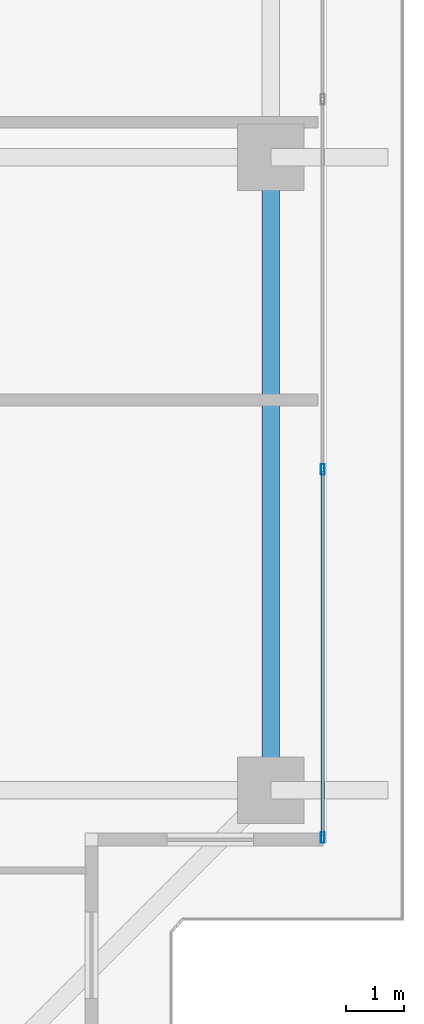
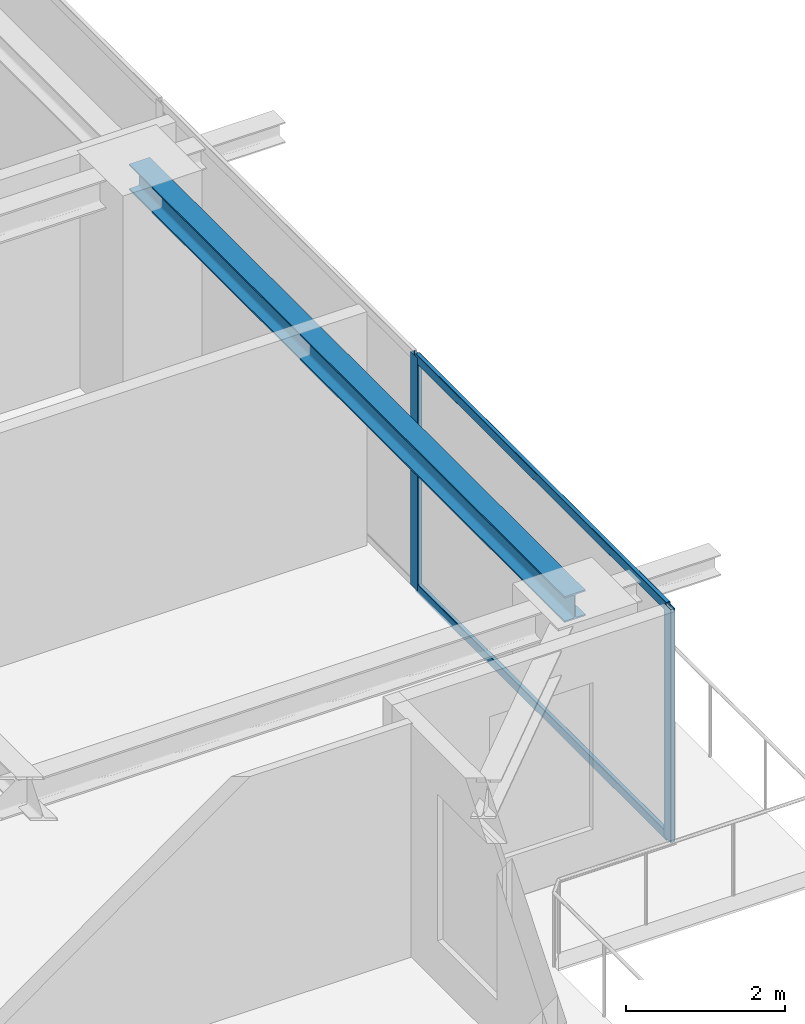
# One storey, part 14 of 40: 4 members, 1 beam, 1 element without a shape of its own.
"""IFC4 building model written with IfcOpenShell, lengths in metres."""

from ifc_helpers import new_model, si_unit, direction, frame, origin, origin_2d, place, context, subcontext, project, spatial, hollow_rectangle, i_section, extrude, source, transform, mapped, material, layer, layer_set, material_profile, profile_set, type_object, element, aggregate, save


model = new_model("IFC4")

# Units and contexts
model_context = context("Model", 3, precision=1e-05, world=origin(), true_north=direction((0.0, 1.0)))
body_context = subcontext(model_context, "Body", "Model", "MODEL_VIEW")
ifc_project = project(units=[si_unit("LENGTHUNIT", "METRE"), si_unit("AREAUNIT", "SQUARE_METRE"), si_unit("VOLUMEUNIT", "CUBIC_METRE"), si_unit("PLANEANGLEUNIT", "RADIAN"), si_unit("MASSUNIT", "GRAM", prefix="KILO")], contexts=[model_context])

# Site, building, storey
site_placement = place(None, origin())
site = spatial("IfcSite", under=ifc_project, at=site_placement, CompositionType="ELEMENT")
building_placement = place(site_placement, origin())
building = spatial("IfcBuilding", under=site, at=building_placement, Name="Serunith Strait Residences", CompositionType="ELEMENT")
storey_placement = place(building_placement, frame((0.0, 0.0, 252.800048828125)))
storey = spatial("IfcBuildingStorey", under=building, at=storey_placement, Name="L63", CompositionType="ELEMENT", Elevation=252.800048828125)

# Beam
ifc_material_1 = material(Name="Steel S355J2", Category="steel")
ifc_material_profile_1 = material_profile(ifc_material_1, i_section(OverallWidth=0.300048828125, OverallDepth=0.39990234375, WebThickness=0.013427734375, FlangeThickness=0.02392578125, FilletRadius=0.027099609375, at=origin_2d()), Name="HEB 400")
ifc_profile_set_1 = profile_set([ifc_material_profile_1], Name="Steel S355J2")
beam_type = type_object("IfcBeamType", Name="BM-HEB400", PredefinedType="BEAM", material=ifc_profile_set_1)
shared_shape_1 = source(origin(), body_context, "Body", "SweptSolid", [
    extrude(i_section(OverallWidth=0.300048828125, OverallDepth=0.39990234375, WebThickness=0.013427734375, FlangeThickness=0.02392578125, FilletRadius=0.027099609375, at=origin_2d()), origin(), (0.0, 0.0, 1.0), 10.949951171875),
])
beam_placement = place(storey_placement, frame((56.5, 10.050048828125, 3.386962890625), z_axis=(0.0, 1.0, 0.0), x_axis=(-1.0, 0.0, 0.0)))
element("IfcBeam", 1, at=beam_placement, inside=storey, type_object=beam_type, Name="L63 Perimeter Ring Beam 05", PredefinedType="BEAM", context=body_context, shape_type="MappedRepresentation", body=[
    mapped(shared_shape_1, transform((0.0, 0.0, 0.0), scale=1.0)),
])

# Curtain wall, members
ifc_material_2 = material(Name="Pale-Champagne Anodised Aluminium", Category="aluminium")
ifc_layer = layer(ifc_material_2, 0.199951171875, Name="Pale-Champagne Anodised Aluminium")
ifc_layer_set = layer_set([ifc_layer], Name="Pale-Champagne Anodised Aluminium")
curtain_wall_type = type_object("IfcCurtainWallType", Name="CW-SYS4", PredefinedType="NOTDEFINED", material=ifc_layer_set)
curtain_wall_placement = place(storey_placement, origin())
curtain_wall = element("IfcCurtainWall", 2, at=curtain_wall_placement, inside=storey, type_object=curtain_wall_type, Name="L63 E Unitised Fritted Curtain Wall", PredefinedType="NOTDEFINED")
ifc_material_profile_2 = material_profile(ifc_material_2, hollow_rectangle(XDim=0.06494140625, YDim=0.179931640625, WallThickness=0.00341796875, InnerFilletRadius=0.00537109375, OuterFilletRadius=0.0087890625, at=origin_2d()), Name="ALU 180x65x3.5")
ifc_profile_set_2 = profile_set([ifc_material_profile_2], Name="Pale-Champagne Anodised Aluminium")
member_type_1 = type_object("IfcMemberType", Name="CW-SYS4-MULL", PredefinedType="MULLION", material=ifc_profile_set_2)
shared_shape_2 = source(origin(), body_context, "Body", "SweptSolid", [
    extrude(hollow_rectangle(XDim=0.06494140625, YDim=0.179931640625, WallThickness=0.00341796875, InnerFilletRadius=0.00537109375, OuterFilletRadius=0.0087890625, at=origin_2d()), origin(), (0.0, 0.0, 1.0), 3.574951171875),
])
member_1_placement = place(storey_placement, frame((57.39990234375, 9.232421875, 0.0), z_axis=(0.0, 0.0, 1.0), x_axis=(-1.0, 0.0, 0.0)))
member_1 = element("IfcMember", 3, at=member_1_placement, type_object=member_type_1, Name="CW-4 mullion 1", PredefinedType="MULLION", context=body_context, shape_type="MappedRepresentation", body=[
    mapped(shared_shape_2, transform((0.0, 0.0, 0.0), scale=1.0)),
])
member_2_placement = place(storey_placement, frame((57.39990234375, 15.60009765625, 0.0), z_axis=(0.0, 0.0, 1.0), x_axis=(-1.0, 0.0, 0.0)))
member_2 = element("IfcMember", 4, at=member_2_placement, type_object=member_type_1, Name="CW-4 mullion 2", PredefinedType="MULLION", context=body_context, shape_type="MappedRepresentation", body=[
    mapped(shared_shape_2, transform((0.0, 0.0, 0.0), scale=1.0)),
])
ifc_material_profile_3 = material_profile(ifc_material_2, hollow_rectangle(XDim=0.06005859375, YDim=0.139892578125, WallThickness=0.00341796875, InnerFilletRadius=0.00537109375, OuterFilletRadius=0.0087890625, at=origin_2d()), Name="ALU 140x60x3.5")
ifc_profile_set_3 = profile_set([ifc_material_profile_3], Name="Pale-Champagne Anodised Aluminium")
member_type_2 = type_object("IfcMemberType", Name="CW-SYS4-TRAN", PredefinedType="USERDEFINED", material=ifc_profile_set_3)
shared_shape_3 = source(origin(), body_context, "Body", "SweptSolid", [
    extrude(hollow_rectangle(XDim=0.06005859375, YDim=0.139892578125, WallThickness=0.00341796875, InnerFilletRadius=0.00537109375, OuterFilletRadius=0.0087890625, at=origin_2d()), origin(), (0.0, 0.0, 1.0), 6.302490234375),
])
member_3_placement = place(storey_placement, frame((57.39990234375, 9.264892578125, 0.030029296875), z_axis=(0.0, 1.0, 0.0), x_axis=(-1.0, 0.0, 0.0)))
member_3 = element("IfcMember", 5, at=member_3_placement, type_object=member_type_2, Name="CW-4 transom 1.1", ObjectType="TRANSOM", PredefinedType="USERDEFINED", context=body_context, shape_type="MappedRepresentation", body=[
    mapped(shared_shape_3, transform((0.0, 0.0, 0.0), scale=1.0)),
])
member_4_placement = place(storey_placement, frame((57.39990234375, 9.264892578125, 3.544921875), z_axis=(0.0, 1.0, 0.0), x_axis=(-1.0, 0.0, 0.0)))
member_4 = element("IfcMember", 6, at=member_4_placement, type_object=member_type_2, Name="CW-4 transom 1.2", ObjectType="TRANSOM", PredefinedType="USERDEFINED", context=body_context, shape_type="MappedRepresentation", body=[
    mapped(shared_shape_3, transform((0.0, 0.0, 0.0), scale=1.0)),
])
aggregate(curtain_wall, [member_1, member_2, member_3, member_4])

save(model, "model.ifc")
